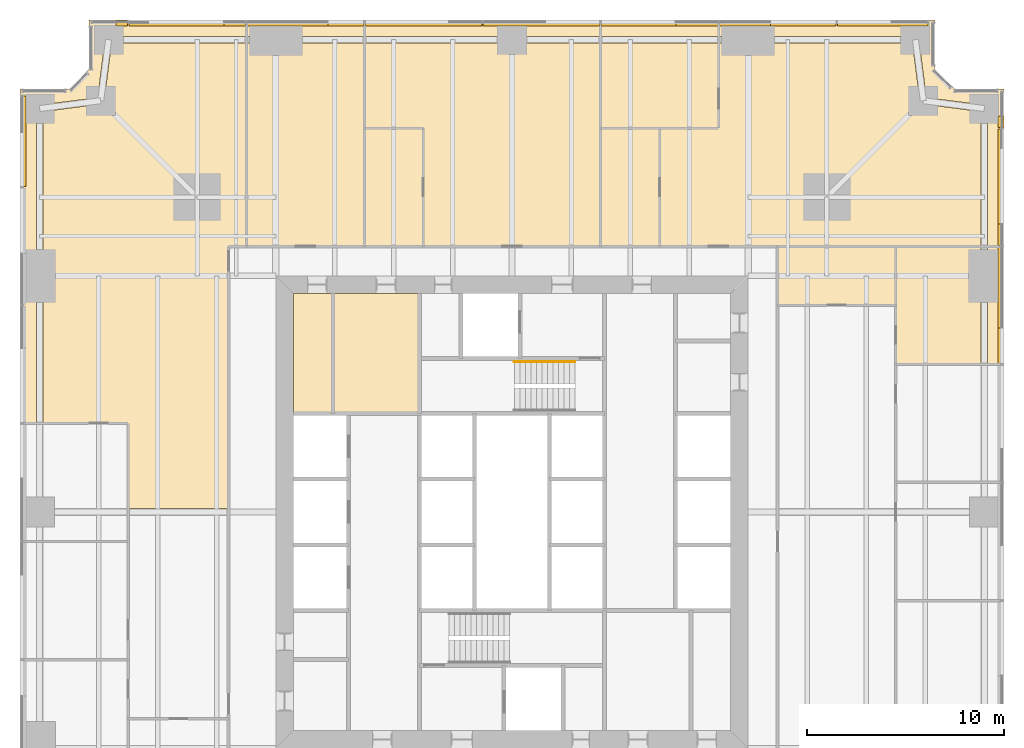
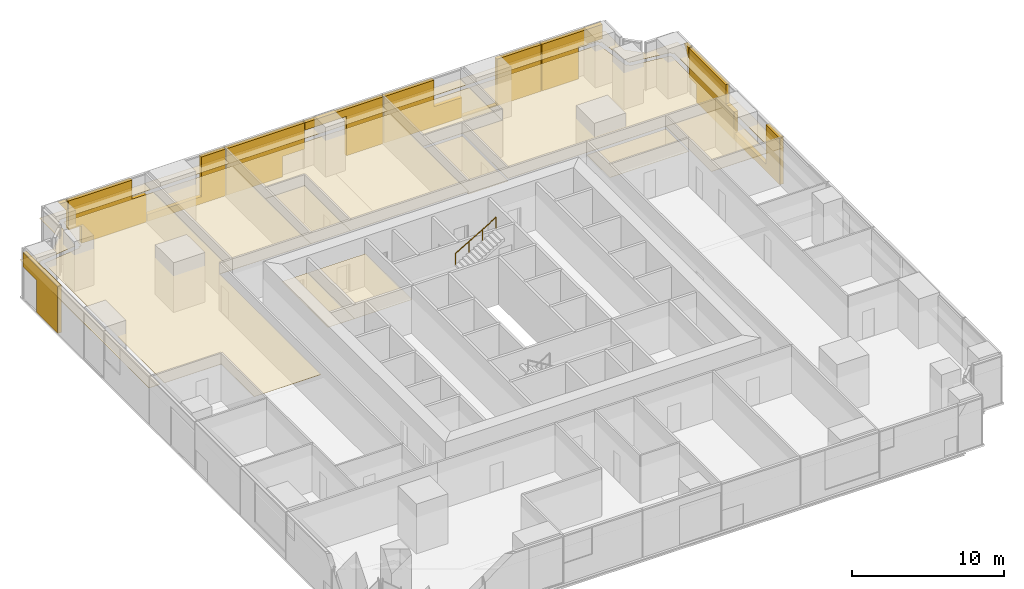
# One storey, part 14 of 14: 29 coverings, 1 railing.
"""IFC4 building model written with IfcOpenShell, lengths in metres."""

from ifc_helpers import new_model, si_unit, direction, frame, origin, origin_2d, place, context, subcontext, project, spatial, polyline, circle, outline, extrude, material, layer, layer_set, type_object, element, save


model = new_model("IFC4")

# Units and contexts
model_context = context("Model", 3, precision=1e-05, world=origin(), true_north=direction((0.0, 1.0)))
body_context = subcontext(model_context, "Body", "Model", "MODEL_VIEW")
ifc_project = project(units=[si_unit("LENGTHUNIT", "METRE"), si_unit("AREAUNIT", "SQUARE_METRE"), si_unit("VOLUMEUNIT", "CUBIC_METRE"), si_unit("PLANEANGLEUNIT", "RADIAN"), si_unit("MASSUNIT", "GRAM", prefix="KILO")], contexts=[model_context])

# Site, building, storey
site_placement = place(None, origin())
site = spatial("IfcSite", under=ifc_project, at=site_placement, CompositionType="ELEMENT")
building_placement = place(site_placement, origin())
building = spatial("IfcBuilding", under=site, at=building_placement, Name="Fenwick Lantern Interchange", CompositionType="ELEMENT")
storey_placement = place(building_placement, frame((0.0, 0.0, 35.0)))
storey = spatial("IfcBuildingStorey", under=building, at=storey_placement, Name="L07", CompositionType="ELEMENT", Elevation=35.0)

# Coverings
ifc_material_1 = material(Name="Mineral fibre acoustic tile on suspended grid")
ifc_layer_1 = layer(ifc_material_1, 0.02001953125)
ifc_layer_set_1 = layer_set([ifc_layer_1], Name="ACOUSTIC TILE CEILING 20")
covering_type_1 = type_object("IfcCoveringType", Name="ACOUSTIC TILE CEILING 20", PredefinedType="CEILING", material=ifc_layer_set_1)
covering_1_placement = place(storey_placement, frame((0.0, 0.0, 2.89990234375)))
element("IfcCovering", 1, at=covering_1_placement, inside=storey, type_object=covering_type_1, Name="Office ceiling", PredefinedType="CEILING", context=body_context, shape_type="SweptSolid", body=[
    extrude(outline(polyline([(44.5, 32.5), (48.82763671875, 32.5), (48.82763671875, 37.0), (48.82763671875, 38.5), (44.5, 38.5), (44.5, 32.5)])), origin(), (0.0, 0.0, 1.0), 0.02001953125),
])
covering_2_placement = place(storey_placement, frame((0.0, 0.0, 2.89990234375)))
element("IfcCovering", 2, at=covering_2_placement, inside=storey, type_object=covering_type_1, Name="Office ceiling", PredefinedType="CEILING", context=body_context, shape_type="SweptSolid", body=[
    extrude(outline(polyline([(50.0, 38.5), (49.17236328125, 38.5), (49.17236328125, 37.0), (49.17236328125, 32.5), (50.0, 32.5), (50.0, 38.5)])), origin(), (0.0, 0.0, 1.0), 0.02001953125),
])
covering_3_placement = place(storey_placement, frame((0.0, 0.0, 2.89990234375)))
element("IfcCovering", 3, at=covering_3_placement, inside=storey, type_object=covering_type_1, Name="Office suite ceiling", PredefinedType="CEILING", context=body_context, shape_type="SweptSolid", body=[
    extrude(outline(polyline([(32.5, 38.5), (48.82763671875, 38.5), (48.82763671875, 45.348388671875), (45.8779296875, 45.72900390625), (45.89990234375, 45.89990234375), (45.72900390625, 45.8779296875), (45.348388671875, 48.82763671875), (37.0, 48.82763671875), (35.5, 48.82763671875), (35.5, 44.5), (32.5, 44.5), (32.5, 38.5)])), origin(), (0.0, 0.0, 1.0), 0.02001953125),
])
covering_4_placement = place(storey_placement, frame((0.0, 0.0, 2.89990234375)))
element("IfcCovering", 4, at=covering_4_placement, inside=storey, type_object=covering_type_1, Name="Office suite ceiling", PredefinedType="CEILING", context=body_context, shape_type="SweptSolid", body=[
    extrude(outline(polyline([(47.5, 46.5), (46.5, 47.5), (46.5, 50.0), (35.5, 50.0), (35.5, 49.17236328125), (37.0, 49.17236328125), (45.5, 49.17236328125), (45.5, 49.0), (45.6708984375, 49.02197265625), (46.053955078125, 46.053955078125), (49.02197265625, 45.6708984375), (49.0, 45.5), (49.17236328125, 45.5), (49.17236328125, 38.5), (50.0, 38.5), (50.0, 46.5), (47.5, 46.5)])), origin(), (0.0, 0.0, 1.0), 0.02001953125),
])
covering_5_placement = place(storey_placement, frame((0.0, 0.0, 2.89990234375)))
element("IfcCovering", 5, at=covering_5_placement, inside=storey, type_object=covering_type_1, Name="Meeting room ceiling", PredefinedType="CEILING", context=body_context, shape_type="SweptSolid", body=[
    extrude(outline(polyline([(35.5, 44.5), (35.5, 48.82763671875), (29.5, 48.82763671875), (29.5, 44.5), (35.5, 44.5)])), origin(), (0.0, 0.0, 1.0), 0.02001953125),
])
covering_6_placement = place(storey_placement, frame((0.0, 0.0, 2.89990234375)))
element("IfcCovering", 6, at=covering_6_placement, inside=storey, type_object=covering_type_1, Name="Meeting room ceiling", PredefinedType="CEILING", context=body_context, shape_type="SweptSolid", body=[
    extrude(outline(polyline([(29.5, 50.0), (29.5, 49.17236328125), (35.5, 49.17236328125), (35.5, 50.0), (29.5, 50.0)])), origin(), (0.0, 0.0, 1.0), 0.02001953125),
])
covering_7_placement = place(storey_placement, frame((0.0, 0.0, 2.89990234375)))
element("IfcCovering", 7, at=covering_7_placement, inside=storey, type_object=covering_type_1, Name="Office suite ceiling", PredefinedType="CEILING", context=body_context, shape_type="SweptSolid", body=[
    extrude(outline(polyline([(29.5, 38.5), (29.5, 48.82763671875), (25.0, 48.82763671875), (17.5, 48.82763671875), (17.5, 44.5), (20.5, 44.5), (20.5, 38.5), (29.5, 38.5)])), origin(), (0.0, 0.0, 1.0), 0.02001953125),
])
covering_8_placement = place(storey_placement, frame((0.0, 0.0, 2.89990234375)))
element("IfcCovering", 8, at=covering_8_placement, inside=storey, type_object=covering_type_1, Name="Office suite ceiling", PredefinedType="CEILING", context=body_context, shape_type="SweptSolid", body=[
    extrude(outline(polyline([(29.5, 49.17236328125), (29.5, 50.0), (17.5, 50.0), (17.5, 49.17236328125), (25.0, 49.17236328125), (29.5, 49.17236328125)])), origin(), (0.0, 0.0, 1.0), 0.02001953125),
])
covering_9_placement = place(storey_placement, frame((0.0, 0.0, 2.89990234375)))
element("IfcCovering", 9, at=covering_9_placement, inside=storey, type_object=covering_type_1, Name="Office ceiling", PredefinedType="CEILING", context=body_context, shape_type="SweptSolid", body=[
    extrude(outline(polyline([(20.5, 44.5), (17.5, 44.5), (17.5, 38.5), (20.5, 38.5), (20.5, 44.5)])), origin(), (0.0, 0.0, 1.0), 0.02001953125),
])
covering_10_placement = place(storey_placement, frame((0.0, 0.0, 2.89990234375)))
element("IfcCovering", 10, at=covering_10_placement, inside=storey, type_object=covering_type_1, Name="Office suite ceiling", PredefinedType="CEILING", context=body_context, shape_type="SweptSolid", body=[
    extrude(outline(polyline([(17.5, 38.5), (17.5, 48.82763671875), (13.0, 48.82763671875), (11.5, 48.82763671875), (11.5, 38.5), (17.5, 38.5)])), origin(), (0.0, 0.0, 1.0), 0.02001953125),
])
covering_11_placement = place(storey_placement, frame((0.0, 0.0, 2.89990234375)))
element("IfcCovering", 11, at=covering_11_placement, inside=storey, type_object=covering_type_1, Name="Office suite ceiling", PredefinedType="CEILING", context=body_context, shape_type="SweptSolid", body=[
    extrude(outline(polyline([(17.5, 50.0), (11.5, 50.0), (11.5, 49.17236328125), (13.0, 49.17236328125), (17.5, 49.17236328125), (17.5, 50.0)])), origin(), (0.0, 0.0, 1.0), 0.02001953125),
])
covering_12_placement = place(storey_placement, frame((0.0, 0.0, 2.89990234375)))
element("IfcCovering", 12, at=covering_12_placement, inside=storey, type_object=covering_type_1, Name="Office suite ceiling", PredefinedType="CEILING", context=body_context, shape_type="SweptSolid", body=[
    extrude(outline(polyline([(11.5, 38.5), (11.5, 48.82763671875), (4.651611328125, 48.82763671875), (4.27099609375, 45.8779296875), (4.10009765625, 45.89990234375), (4.1220703125, 45.72900390625), (1.17236328125, 45.348388671875), (1.17236328125, 37.0), (1.17236328125, 29.5), (5.5, 29.5), (5.5, 25.175048828125), (10.60009765625, 25.175048828125), (10.60009765625, 38.5), (11.5, 38.5)])), origin(), (0.0, 0.0, 1.0), 0.02001953125),
])
covering_13_placement = place(storey_placement, frame((0.0, 0.0, 2.89990234375)))
element("IfcCovering", 13, at=covering_13_placement, inside=storey, type_object=covering_type_1, Name="Office suite ceiling", PredefinedType="CEILING", context=body_context, shape_type="SweptSolid", body=[
    extrude(outline(polyline([(0.0, 46.5), (0.0, 29.5), (0.82763671875, 29.5), (0.82763671875, 37.0), (0.82763671875, 45.5), (1.0, 45.5), (0.97802734375, 45.6708984375), (3.946044921875, 46.053955078125), (4.3291015625, 49.02197265625), (4.5, 49.0), (4.5, 49.17236328125), (11.5, 49.17236328125), (11.5, 50.0), (3.5, 50.0), (3.5, 47.5), (2.5, 46.5), (0.0, 46.5)])), origin(), (0.0, 0.0, 1.0), 0.02001953125),
])
ifc_material_2 = material(Name="Granite cladding, warm grey flamed finish, on aluminium carrier frame", Category="masonry")
ifc_layer_2 = layer(ifc_material_2, 0.300048828125)
ifc_layer_set_2 = layer_set([ifc_layer_2], Name="BRACE CASING PANEL 300")
covering_type_2 = type_object("IfcCoveringType", Name="BRACE CASING PANEL 300", PredefinedType="CLADDING", material=ifc_layer_set_2)
covering_14_placement = place(storey_placement, frame((49.89990234375, 3.60009765625, 0.0), z_axis=(0.0, 0.0, 1.0), x_axis=(0.0, 1.0, 0.0)))
element("IfcCovering", 14, at=covering_14_placement, inside=storey, type_object=covering_type_2, Name="Brace casing 05 bay 05a", PredefinedType="CLADDING", context=body_context, shape_type="SweptSolid", body=[
    extrude(outline(polyline([(28.9326171875, 0.0), (34.867431640625, 0.0), (34.867431640625, 0.5693359375), (30.757568359375, 0.5693359375), (30.757568359375, 3.75), (28.9326171875, 3.75), (28.9326171875, 0.0)])), frame((0.0, 0.2001953125, 0.0), z_axis=(0.0, -1.0, 0.0), x_axis=(1.0, 0.0, 0.0)), (0.0, 0.0, 1.0), 0.300048828125),
])
covering_15_placement = place(storey_placement, frame((49.89990234375, 3.60009765625, 0.0), z_axis=(0.0, 0.0, 1.0), x_axis=(0.0, 1.0, 0.0)))
element("IfcCovering", 15, at=covering_15_placement, inside=storey, type_object=covering_type_2, Name="Brace casing 05 bay 06a", PredefinedType="CLADDING", context=body_context, shape_type="SweptSolid", body=[
    extrude(outline(polyline([(34.9326171875, 0.0), (39.87060546875, 0.0), (39.87060546875, 1.406982421875), (40.867431640625, 1.406982421875), (40.867431640625, 3.75), (36.027587890625, 3.75), (36.027587890625, 2.207763671875), (34.9326171875, 2.207763671875), (34.9326171875, 0.0)])), frame((0.0, 0.2001953125, 0.0), z_axis=(0.0, -1.0, 0.0), x_axis=(1.0, 0.0, 0.0)), (0.0, 0.0, 1.0), 0.300048828125),
])
covering_16_placement = place(storey_placement, frame((49.89990234375, 3.60009765625, 2.90869140625), z_axis=(0.0, 0.0, 1.0), x_axis=(0.0, 1.0, 0.0)))
element("IfcCovering", 16, at=covering_16_placement, inside=storey, type_object=covering_type_2, Name="Brace casing 05 bay 07a", PredefinedType="CLADDING", context=body_context, shape_type="SweptSolid", body=[
    extrude(outline(polyline([(40.9326171875, 0.0), (41.527587890625, 0.84130859375), (40.9326171875, 0.84130859375), (40.9326171875, 0.0)])), frame((0.0, 0.2001953125, 0.0), z_axis=(0.0, -1.0, 0.0), x_axis=(1.0, 0.0, 0.0)), (0.0, 0.0, 1.0), 0.300048828125),
])
covering_17_placement = place(storey_placement, frame((46.39990234375, 49.89990234375, 0.0), z_axis=(0.0, 0.0, 1.0), x_axis=(-1.0, 0.0, 0.0)))
element("IfcCovering", 17, at=covering_17_placement, inside=storey, type_object=covering_type_2, Name="Brace casing 09 bay 00a", PredefinedType="CLADDING", context=body_context, shape_type="SweptSolid", body=[
    extrude(outline(polyline([(2.094970703125, 0.0), (4.867431640625, 0.0), (4.867431640625, 3.75), (0.264892578125, 3.75), (0.264892578125, 2.5869140625), (2.094970703125, 2.5869140625), (2.094970703125, 0.0)])), frame((0.0, 0.2001953125, 0.0), z_axis=(0.0, -1.0, 0.0), x_axis=(1.0, 0.0, 0.0)), (0.0, 0.0, 1.0), 0.300048828125),
])
covering_18_placement = place(storey_placement, frame((46.39990234375, 49.89990234375, 0.0), z_axis=(0.0, 0.0, 1.0), x_axis=(-1.0, 0.0, 0.0)))
element("IfcCovering", 18, at=covering_18_placement, inside=storey, type_object=covering_type_2, Name="Brace casing 09 bay 01a", PredefinedType="CLADDING", context=body_context, shape_type="SweptSolid", body=[
    extrude(outline(polyline([(4.9326171875, 0.0), (10.867431640625, 0.0), (10.867431640625, 0.08056640625), (8.276611328125, 0.08056640625), (8.276611328125, 3.75), (4.9326171875, 3.75), (4.9326171875, 0.0)])), frame((0.0, 0.2001953125, 0.0), z_axis=(0.0, -1.0, 0.0), x_axis=(1.0, 0.0, 0.0)), (0.0, 0.0, 1.0), 0.300048828125),
])
covering_19_placement = place(storey_placement, frame((46.39990234375, 49.89990234375, 0.0), z_axis=(0.0, 0.0, 1.0), x_axis=(-1.0, 0.0, 0.0)))
element("IfcCovering", 19, at=covering_19_placement, inside=storey, type_object=covering_type_2, Name="Brace casing 09 bay 02a", PredefinedType="CLADDING", context=body_context, shape_type="SweptSolid", body=[
    extrude(outline(polyline([(10.9326171875, 0.0), (16.867431640625, 0.0), (16.867431640625, 3.75), (13.077392578125, 3.75), (13.077392578125, 1.60595703125), (10.9326171875, 1.60595703125), (10.9326171875, 0.0)])), frame((0.0, 0.2001953125, 0.0), z_axis=(0.0, -1.0, 0.0), x_axis=(1.0, 0.0, 0.0)), (0.0, 0.0, 1.0), 0.300048828125),
])
covering_20_placement = place(storey_placement, frame((46.39990234375, 49.89990234375, 0.0), z_axis=(0.0, 0.0, 1.0), x_axis=(-1.0, 0.0, 0.0)))
element("IfcCovering", 20, at=covering_20_placement, inside=storey, type_object=covering_type_2, Name="Brace casing 09 bay 03a", PredefinedType="CLADDING", context=body_context, shape_type="SweptSolid", body=[
    extrude(outline(polyline([(16.9326171875, 0.0), (19.71240234375, 0.0), (19.71240234375, 3.15625), (22.867431640625, 3.15625), (22.867431640625, 3.75), (16.9326171875, 3.75), (16.9326171875, 0.0)])), frame((0.0, 0.2001953125, 0.0), z_axis=(0.0, -1.0, 0.0), x_axis=(1.0, 0.0, 0.0)), (0.0, 0.0, 1.0), 0.300048828125),
])
covering_21_placement = place(storey_placement, frame((46.39990234375, 49.89990234375, 0.0), z_axis=(0.0, 0.0, 1.0), x_axis=(-1.0, 0.0, 0.0)))
element("IfcCovering", 21, at=covering_21_placement, inside=storey, type_object=covering_type_2, Name="Brace casing 09 bay 04a", PredefinedType="CLADDING", context=body_context, shape_type="SweptSolid", body=[
    extrude(outline(polyline([(24.58740234375, 0.0), (28.867431640625, 0.0), (28.867431640625, 3.75), (22.9326171875, 3.75), (22.9326171875, 1.65380859375), (24.58740234375, 1.65380859375), (24.58740234375, 0.0)])), frame((0.0, 0.2001953125, 0.0), z_axis=(0.0, -1.0, 0.0), x_axis=(1.0, 0.0, 0.0)), (0.0, 0.0, 1.0), 0.300048828125),
])
covering_22_placement = place(storey_placement, frame((46.39990234375, 49.89990234375, 0.0), z_axis=(0.0, 0.0, 1.0), x_axis=(-1.0, 0.0, 0.0)))
element("IfcCovering", 22, at=covering_22_placement, inside=storey, type_object=covering_type_2, Name="Brace casing 09 bay 05a", PredefinedType="CLADDING", context=body_context, shape_type="SweptSolid", body=[
    extrude(outline(polyline([(28.9326171875, 0.0), (34.867431640625, 0.0), (34.867431640625, 0.5693359375), (30.757568359375, 0.5693359375), (30.757568359375, 3.75), (28.9326171875, 3.75), (28.9326171875, 0.0)])), frame((0.0, 0.2001953125, 0.0), z_axis=(0.0, -1.0, 0.0), x_axis=(1.0, 0.0, 0.0)), (0.0, 0.0, 1.0), 0.300048828125),
])
covering_23_placement = place(storey_placement, frame((46.39990234375, 49.89990234375, 0.0), z_axis=(0.0, 0.0, 1.0), x_axis=(-1.0, 0.0, 0.0)))
element("IfcCovering", 23, at=covering_23_placement, inside=storey, type_object=covering_type_2, Name="Brace casing 09 bay 06a", PredefinedType="CLADDING", context=body_context, shape_type="SweptSolid", body=[
    extrude(outline(polyline([(34.9326171875, 0.0), (39.87060546875, 0.0), (39.87060546875, 1.406982421875), (40.867431640625, 1.406982421875), (40.867431640625, 3.75), (36.027587890625, 3.75), (36.027587890625, 2.207763671875), (34.9326171875, 2.207763671875), (34.9326171875, 0.0)])), frame((0.0, 0.2001953125, 0.0), z_axis=(0.0, -1.0, 0.0), x_axis=(1.0, 0.0, 0.0)), (0.0, 0.0, 1.0), 0.300048828125),
])
covering_24_placement = place(storey_placement, frame((46.39990234375, 49.89990234375, 2.90869140625), z_axis=(0.0, 0.0, 1.0), x_axis=(-1.0, 0.0, 0.0)))
element("IfcCovering", 24, at=covering_24_placement, inside=storey, type_object=covering_type_2, Name="Brace casing 09 bay 07a", PredefinedType="CLADDING", context=body_context, shape_type="SweptSolid", body=[
    extrude(outline(polyline([(40.9326171875, 0.0), (41.527587890625, 0.84130859375), (40.9326171875, 0.84130859375), (40.9326171875, 0.0)])), frame((0.0, 0.2001953125, 0.0), z_axis=(0.0, -1.0, 0.0), x_axis=(1.0, 0.0, 0.0)), (0.0, 0.0, 1.0), 0.300048828125),
])
covering_25_placement = place(storey_placement, frame((0.10009765625, 46.39990234375, 0.0), z_axis=(0.0, 0.0, 1.0), x_axis=(0.0, -1.0, 0.0)))
element("IfcCovering", 25, at=covering_25_placement, inside=storey, type_object=covering_type_2, Name="Brace casing 13 bay 00a", PredefinedType="CLADDING", context=body_context, shape_type="SweptSolid", body=[
    extrude(outline(polyline([(2.094970703125, 0.0), (4.867431640625, 0.0), (4.867431640625, 3.75), (0.264892578125, 3.75), (0.264892578125, 2.5869140625), (2.094970703125, 2.5869140625), (2.094970703125, 0.0)])), frame((0.0, 0.2001953125, 0.0), z_axis=(0.0, -1.0, 0.0), x_axis=(1.0, 0.0, 0.0)), (0.0, 0.0, 1.0), 0.300048828125),
])

# Railing
ifc_material_3 = material(Name="Stainless steel handrail", Category="steel")
railing_type = type_object("IfcRailingType", Name="HANDRAIL 900", PredefinedType="HANDRAIL", material=ifc_material_3)
railing_placement = place(storey_placement, frame((25.1201171875, 32.6259765625, 2.166748046875)))
element("IfcRailing", 26, at=railing_placement, inside=storey, type_object=railing_type, Name="L07/STAIR/ST2/HR2", PredefinedType="HANDRAIL", context=body_context, shape_type="SweptSolid", body=[
    extrude(circle(Radius=0.02392578125, at=origin_2d()), frame((0.0, 0.0, 0.8759765625), z_axis=(0.859290745958, 0.0, 0.51148745235), x_axis=(0.0, 1.0, 0.0)), (0.0, 0.0, 1.0), 3.584228515625),
    extrude(circle(Radius=0.02099609375, at=origin_2d()), origin(), (0.0, 0.0, 1.0), 0.851806640625),
    extrude(circle(Radius=0.02099609375, at=origin_2d()), frame((1.026611328125, 0.0, 0.611083984375)), (0.0, 0.0, 1.0), 0.851806640625),
    extrude(circle(Radius=0.02099609375, at=origin_2d()), frame((2.05322265625, 0.0, 1.22216796875)), (0.0, 0.0, 1.0), 0.851806640625),
    extrude(circle(Radius=0.02099609375, at=origin_2d()), frame((3.079833984375, 0.0, 1.833251953125)), (0.0, 0.0, 1.0), 0.851806640625),
])

# Coverings
ifc_material_4 = material(Name="Moisture resistant gypsum board on suspended frame, painted")
ifc_layer_3 = layer(ifc_material_4, 0.014892578125)
ifc_layer_set_3 = layer_set([ifc_layer_3], Name="MOISTURE RESISTANT CEILING 15")
covering_type_3 = type_object("IfcCoveringType", Name="MOISTURE RESISTANT CEILING 15", PredefinedType="CEILING", material=ifc_layer_set_3)
covering_26_placement = place(storey_placement, frame((0.0, 0.0, 2.60009765625)))
element("IfcCovering", 27, at=covering_26_placement, inside=storey, type_object=covering_type_3, Name="Women's WC ceiling", PredefinedType="CEILING", context=body_context, shape_type="SweptSolid", body=[
    extrude(outline(polyline([(20.300048828125, 36.10009765625), (15.89990234375, 36.10009765625), (15.89990234375, 30.0), (20.300048828125, 30.0), (20.300048828125, 36.10009765625)])), origin(), (0.0, 0.0, 1.0), 0.014892578125),
])
covering_27_placement = place(storey_placement, frame((0.0, 0.0, 2.60009765625)))
element("IfcCovering", 28, at=covering_27_placement, inside=storey, type_object=covering_type_3, Name="Men's WC ceiling", PredefinedType="CEILING", context=body_context, shape_type="SweptSolid", body=[
    extrude(outline(polyline([(15.89990234375, 36.10009765625), (13.89990234375, 36.10009765625), (13.89990234375, 30.0), (15.89990234375, 30.0), (15.89990234375, 36.10009765625)])), origin(), (0.0, 0.0, 1.0), 0.014892578125),
])
covering_28_placement = place(storey_placement, frame((0.0, 0.0, 2.699951171875)))
element("IfcCovering", 29, at=covering_28_placement, inside=storey, type_object=covering_type_3, Name="Pantry ceiling", PredefinedType="CEILING", context=body_context, shape_type="SweptSolid", body=[
    extrude(outline(polyline([(44.5, 35.5), (44.5, 38.5), (38.5, 38.5), (38.5, 35.5), (44.5, 35.5)])), origin(), (0.0, 0.0, 1.0), 0.01513671875),
])
covering_29_placement = place(storey_placement, frame((0.0, 0.0, 2.699951171875)))
element("IfcCovering", 30, at=covering_29_placement, inside=storey, type_object=covering_type_3, Name="Pantry ceiling", PredefinedType="CEILING", context=body_context, shape_type="SweptSolid", body=[
    extrude(outline(polyline([(32.5, 44.5), (29.5, 44.5), (29.5, 38.5), (32.5, 38.5), (32.5, 44.5)])), origin(), (0.0, 0.0, 1.0), 0.01513671875),
])

save(model, "model.ifc")
